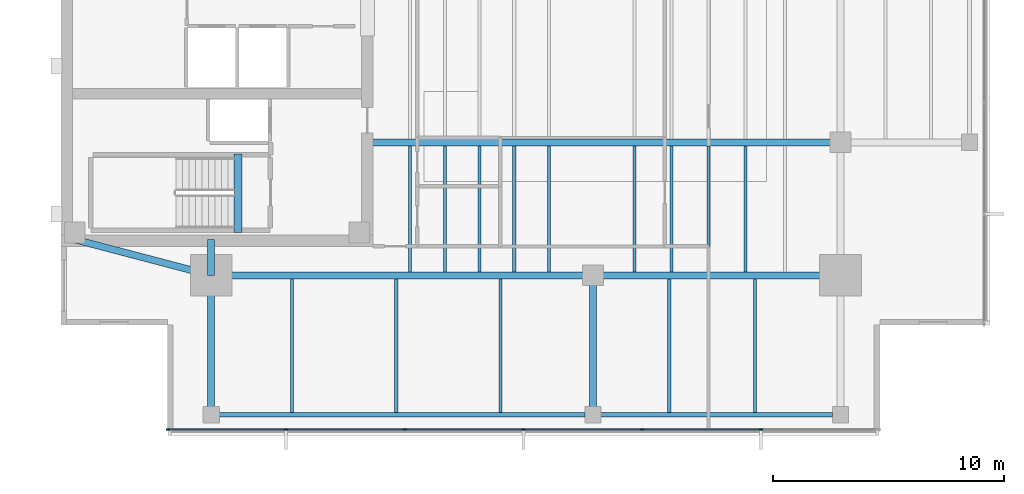
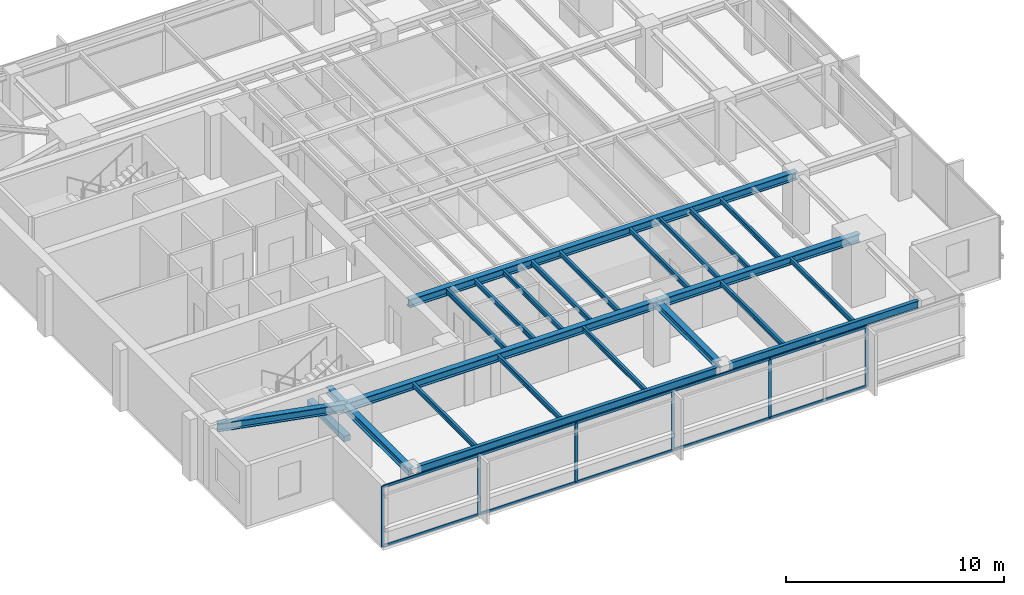
# One storey, part 2 of 14: 24 beams, 16 members, 1 element without a shape of its own.
"""IFC4 building model written with IfcOpenShell, lengths in metres."""

from ifc_helpers import new_model, si_unit, direction, frame, origin, origin_2d, place, context, subcontext, project, spatial, rectangle, i_section, extrude, material, layer, layer_set, material_profile, profile_set, type_object, element, aggregate, save


model = new_model("IFC4")

# Units and contexts
model_context = context("Model", 3, precision=1e-05, world=origin(), true_north=direction((0.0, 1.0)))
body_context = subcontext(model_context, "Body", "Model", "MODEL_VIEW")
ifc_project = project(units=[si_unit("LENGTHUNIT", "METRE"), si_unit("AREAUNIT", "SQUARE_METRE"), si_unit("VOLUMEUNIT", "CUBIC_METRE"), si_unit("PLANEANGLEUNIT", "RADIAN"), si_unit("MASSUNIT", "GRAM", prefix="KILO")], contexts=[model_context])

# Site, building, storey
site_placement = place(None, origin())
site = spatial("IfcSite", under=ifc_project, at=site_placement, CompositionType="ELEMENT")
building_placement = place(site_placement, origin())
building = spatial("IfcBuilding", under=site, at=building_placement, Name="Kinhvarn Gate Tower", CompositionType="ELEMENT")
storey_placement = place(building_placement, frame((0.0, 0.0, 263.449951171875)))
storey = spatial("IfcBuildingStorey", under=building, at=storey_placement, Name="L70", CompositionType="ELEMENT", Elevation=263.449951171875)

# Beam
ifc_material_1 = material(Name="Concrete C50/60", Category="concrete")
ifc_material_profile_1 = material_profile(ifc_material_1, rectangle(XDim=0.340087890625, YDim=0.320068359375, at=origin_2d()), Name="RC 340x320")
ifc_profile_set_1 = profile_set([ifc_material_profile_1], Name="Concrete C50/60")
beam_type_1 = type_object("IfcBeamType", Name="BM-LND-500", PredefinedType="BEAM", material=ifc_profile_set_1)
beam_1_placement = place(storey_placement, frame((12.1650390625, 14.60009765625, -0.159912109375), z_axis=(0.0, 1.0, 0.0), x_axis=(-1.0, 0.0, 0.0)))
element("IfcBeam", 1, at=beam_1_placement, inside=storey, type_object=beam_type_1, Name="Stair ST1 Landing Nosing Beam (L70)", PredefinedType="BEAM", context=body_context, shape_type="SweptSolid", body=[
    extrude(rectangle(XDim=0.340087890625, YDim=0.320068359375, at=origin_2d()), origin(), (0.0, 0.0, 1.0), 3.39990234375),
])

# Curtain wall, members
ifc_material_2 = material(Name="Anodised aluminium AW-6063", Category="aluminium")
ifc_layer = layer(ifc_material_2, 0.179931640625)
ifc_layer_set = layer_set([ifc_layer], Name="Anodised aluminium AW-6063")
curtain_wall_type = type_object("IfcCurtainWallType", Name="CW-SYS-3", PredefinedType="NOTDEFINED", material=ifc_layer_set)
curtain_wall_placement = place(storey_placement, origin())
curtain_wall = element("IfcCurtainWall", 2, at=curtain_wall_placement, inside=storey, type_object=curtain_wall_type, Name="Curtain Wall CW3 (L70)", PredefinedType="NOTDEFINED")
ifc_material_profile_2 = material_profile(ifc_material_2, rectangle(XDim=0.06494140625, YDim=0.159912109375, at=origin_2d()), Name="ALU 65x160")
ifc_profile_set_2 = profile_set([ifc_material_profile_2], Name="Anodised aluminium AW-6063")
member_type_1 = type_object("IfcMemberType", Name="CW-MUL-160", PredefinedType="MULLION", material=ifc_profile_set_2)
member_1_placement = place(storey_placement, frame((9.132568359375, 6.090087890625, 0.0), z_axis=(0.0, 0.0, 1.0), x_axis=(0.0, 1.0, 0.0)))
member_1 = element("IfcMember", 3, at=member_1_placement, type_object=member_type_1, Name="CW3 mullion 1", PredefinedType="MULLION", context=body_context, shape_type="SweptSolid", body=[
    extrude(rectangle(XDim=0.06494140625, YDim=0.159912109375, at=origin_2d()), origin(), (0.0, 0.0, 1.0), 3.39013671875),
])
member_2_placement = place(storey_placement, frame((14.2333984375, 6.090087890625, 0.0), z_axis=(0.0, 0.0, 1.0), x_axis=(0.0, 1.0, 0.0)))
member_2 = element("IfcMember", 4, at=member_2_placement, type_object=member_type_1, Name="CW3 mullion 2", PredefinedType="MULLION", context=body_context, shape_type="SweptSolid", body=[
    extrude(rectangle(XDim=0.06494140625, YDim=0.159912109375, at=origin_2d()), origin(), (0.0, 0.0, 1.0), 3.39013671875),
])
member_3_placement = place(storey_placement, frame((19.36669921875, 6.090087890625, 0.0), z_axis=(0.0, 0.0, 1.0), x_axis=(0.0, 1.0, 0.0)))
member_3 = element("IfcMember", 5, at=member_3_placement, type_object=member_type_1, Name="CW3 mullion 3", PredefinedType="MULLION", context=body_context, shape_type="SweptSolid", body=[
    extrude(rectangle(XDim=0.06494140625, YDim=0.159912109375, at=origin_2d()), origin(), (0.0, 0.0, 1.0), 3.39013671875),
])
member_4_placement = place(storey_placement, frame((24.5, 6.090087890625, 0.0), z_axis=(0.0, 0.0, 1.0), x_axis=(0.0, 1.0, 0.0)))
member_4 = element("IfcMember", 6, at=member_4_placement, type_object=member_type_1, Name="CW3 mullion 4", PredefinedType="MULLION", context=body_context, shape_type="SweptSolid", body=[
    extrude(rectangle(XDim=0.06494140625, YDim=0.159912109375, at=origin_2d()), origin(), (0.0, 0.0, 1.0), 3.39013671875),
])
member_5_placement = place(storey_placement, frame((29.63330078125, 6.090087890625, 0.0), z_axis=(0.0, 0.0, 1.0), x_axis=(0.0, 1.0, 0.0)))
member_5 = element("IfcMember", 7, at=member_5_placement, type_object=member_type_1, Name="CW3 mullion 5", PredefinedType="MULLION", context=body_context, shape_type="SweptSolid", body=[
    extrude(rectangle(XDim=0.06494140625, YDim=0.159912109375, at=origin_2d()), origin(), (0.0, 0.0, 1.0), 3.39013671875),
])
member_6_placement = place(storey_placement, frame((34.7666015625, 6.090087890625, 0.0), z_axis=(0.0, 0.0, 1.0), x_axis=(0.0, 1.0, 0.0)))
member_6 = element("IfcMember", 8, at=member_6_placement, type_object=member_type_1, Name="CW3 mullion 6", PredefinedType="MULLION", context=body_context, shape_type="SweptSolid", body=[
    extrude(rectangle(XDim=0.06494140625, YDim=0.159912109375, at=origin_2d()), origin(), (0.0, 0.0, 1.0), 3.39013671875),
])
ifc_material_profile_3 = material_profile(ifc_material_2, rectangle(XDim=0.070068359375, YDim=0.139892578125, at=origin_2d()), Name="ALU 70x140")
ifc_profile_set_3 = profile_set([ifc_material_profile_3], Name="Anodised aluminium AW-6063")
member_type_2 = type_object("IfcMemberType", Name="CW-TRN-140", PredefinedType="USERDEFINED", material=ifc_profile_set_3)
member_7_placement = place(storey_placement, frame((9.1650390625, 6.090087890625, 0.03515625), z_axis=(1.0, 0.0, 0.0), x_axis=(0.0, 1.0, 0.0)))
member_7 = element("IfcMember", 9, at=member_7_placement, type_object=member_type_2, Name="CW3 transom 1.1", ObjectType="TRANSOM", PredefinedType="USERDEFINED", context=body_context, shape_type="SweptSolid", body=[
    extrude(rectangle(XDim=0.070068359375, YDim=0.139892578125, at=origin_2d()), origin(), (0.0, 0.0, 1.0), 5.035888671875),
])
member_8_placement = place(storey_placement, frame((9.1650390625, 6.090087890625, 3.35498046875), z_axis=(1.0, 0.0, 0.0), x_axis=(0.0, 1.0, 0.0)))
member_8 = element("IfcMember", 10, at=member_8_placement, type_object=member_type_2, Name="CW3 transom 1.2", ObjectType="TRANSOM", PredefinedType="USERDEFINED", context=body_context, shape_type="SweptSolid", body=[
    extrude(rectangle(XDim=0.070068359375, YDim=0.139892578125, at=origin_2d()), origin(), (0.0, 0.0, 1.0), 5.035888671875),
])
member_9_placement = place(storey_placement, frame((14.265869140625, 6.090087890625, 0.03515625), z_axis=(1.0, 0.0, 0.0), x_axis=(0.0, 1.0, 0.0)))
member_9 = element("IfcMember", 11, at=member_9_placement, type_object=member_type_2, Name="CW3 transom 2.1", ObjectType="TRANSOM", PredefinedType="USERDEFINED", context=body_context, shape_type="SweptSolid", body=[
    extrude(rectangle(XDim=0.070068359375, YDim=0.139892578125, at=origin_2d()), origin(), (0.0, 0.0, 1.0), 5.068359375),
])
member_10_placement = place(storey_placement, frame((14.265869140625, 6.090087890625, 3.35498046875), z_axis=(1.0, 0.0, 0.0), x_axis=(0.0, 1.0, 0.0)))
member_10 = element("IfcMember", 12, at=member_10_placement, type_object=member_type_2, Name="CW3 transom 2.2", ObjectType="TRANSOM", PredefinedType="USERDEFINED", context=body_context, shape_type="SweptSolid", body=[
    extrude(rectangle(XDim=0.070068359375, YDim=0.139892578125, at=origin_2d()), origin(), (0.0, 0.0, 1.0), 5.068359375),
])
member_11_placement = place(storey_placement, frame((19.399169921875, 6.090087890625, 0.03515625), z_axis=(1.0, 0.0, 0.0), x_axis=(0.0, 1.0, 0.0)))
member_11 = element("IfcMember", 13, at=member_11_placement, type_object=member_type_2, Name="CW3 transom 3.1", ObjectType="TRANSOM", PredefinedType="USERDEFINED", context=body_context, shape_type="SweptSolid", body=[
    extrude(rectangle(XDim=0.070068359375, YDim=0.139892578125, at=origin_2d()), origin(), (0.0, 0.0, 1.0), 5.068359375),
])
member_12_placement = place(storey_placement, frame((19.399169921875, 6.090087890625, 3.35498046875), z_axis=(1.0, 0.0, 0.0), x_axis=(0.0, 1.0, 0.0)))
member_12 = element("IfcMember", 14, at=member_12_placement, type_object=member_type_2, Name="CW3 transom 3.2", ObjectType="TRANSOM", PredefinedType="USERDEFINED", context=body_context, shape_type="SweptSolid", body=[
    extrude(rectangle(XDim=0.070068359375, YDim=0.139892578125, at=origin_2d()), origin(), (0.0, 0.0, 1.0), 5.068359375),
])
member_13_placement = place(storey_placement, frame((24.532470703125, 6.090087890625, 0.03515625), z_axis=(1.0, 0.0, 0.0), x_axis=(0.0, 1.0, 0.0)))
member_13 = element("IfcMember", 15, at=member_13_placement, type_object=member_type_2, Name="CW3 transom 4.1", ObjectType="TRANSOM", PredefinedType="USERDEFINED", context=body_context, shape_type="SweptSolid", body=[
    extrude(rectangle(XDim=0.070068359375, YDim=0.139892578125, at=origin_2d()), origin(), (0.0, 0.0, 1.0), 5.068359375),
])
member_14_placement = place(storey_placement, frame((24.532470703125, 6.090087890625, 3.35498046875), z_axis=(1.0, 0.0, 0.0), x_axis=(0.0, 1.0, 0.0)))
member_14 = element("IfcMember", 16, at=member_14_placement, type_object=member_type_2, Name="CW3 transom 4.2", ObjectType="TRANSOM", PredefinedType="USERDEFINED", context=body_context, shape_type="SweptSolid", body=[
    extrude(rectangle(XDim=0.070068359375, YDim=0.139892578125, at=origin_2d()), origin(), (0.0, 0.0, 1.0), 5.068359375),
])
member_15_placement = place(storey_placement, frame((29.665771484375, 6.090087890625, 0.03515625), z_axis=(1.0, 0.0, 0.0), x_axis=(0.0, 1.0, 0.0)))
member_15 = element("IfcMember", 17, at=member_15_placement, type_object=member_type_2, Name="CW3 transom 5.1", ObjectType="TRANSOM", PredefinedType="USERDEFINED", context=body_context, shape_type="SweptSolid", body=[
    extrude(rectangle(XDim=0.070068359375, YDim=0.139892578125, at=origin_2d()), origin(), (0.0, 0.0, 1.0), 5.068359375),
])
member_16_placement = place(storey_placement, frame((29.665771484375, 6.090087890625, 3.35498046875), z_axis=(1.0, 0.0, 0.0), x_axis=(0.0, 1.0, 0.0)))
member_16 = element("IfcMember", 18, at=member_16_placement, type_object=member_type_2, Name="CW3 transom 5.2", ObjectType="TRANSOM", PredefinedType="USERDEFINED", context=body_context, shape_type="SweptSolid", body=[
    extrude(rectangle(XDim=0.070068359375, YDim=0.139892578125, at=origin_2d()), origin(), (0.0, 0.0, 1.0), 5.068359375),
])
aggregate(curtain_wall, [member_1, member_2, member_3, member_4, member_5, member_6, member_7, member_8, member_9, member_10, member_11, member_12, member_13, member_14, member_15, member_16])

# Beams
ifc_material_3 = material(Name="Steel S355", Category="steel")
ifc_material_profile_4 = material_profile(ifc_material_3, i_section(OverallWidth=0.300048828125, OverallDepth=0.39990234375, WebThickness=0.013427734375, FlangeThickness=0.02392578125, at=origin_2d()), Name="HEB 400")
ifc_profile_set_4 = profile_set([ifc_material_profile_4], Name="Steel S355")
beam_type_2 = type_object("IfcBeamType", Name="STL-HEB400", PredefinedType="BEAM", material=ifc_profile_set_4)
beam_2_placement = place(storey_placement, frame((11.0, 6.719970703125, 3.18994140625), z_axis=(0.0, 1.0, 0.0), x_axis=(-1.0, 0.0, 0.0)))
element("IfcBeam", 19, at=beam_2_placement, inside=storey, type_object=beam_type_2, Name="Floor Beam PG-12 (L70 MCW-S)", PredefinedType="BEAM", context=body_context, shape_type="SweptSolid", body=[
    extrude(i_section(OverallWidth=0.300048828125, OverallDepth=0.39990234375, WebThickness=0.013427734375, FlangeThickness=0.02392578125, at=origin_2d()), origin(), (0.0, 0.0, 1.0), 6.030029296875),
])
beam_3_placement = place(storey_placement, frame((11.0, 12.75, 3.18994140625), z_axis=(0.0, 1.0, 0.0), x_axis=(-1.0, 0.0, 0.0)))
element("IfcBeam", 20, at=beam_3_placement, inside=storey, type_object=beam_type_2, Name="Floor Beam PG-12 (L70 MCW-CS)", PredefinedType="BEAM", context=body_context, shape_type="SweptSolid", body=[
    extrude(i_section(OverallWidth=0.300048828125, OverallDepth=0.39990234375, WebThickness=0.013427734375, FlangeThickness=0.02392578125, at=origin_2d()), origin(), (0.0, 0.0, 1.0), 1.550048828125),
])
beam_4_placement = place(storey_placement, frame((27.5, 7.054931640625, 3.18994140625), z_axis=(0.0, 1.0, 0.0), x_axis=(-1.0, 0.0, 0.0)))
element("IfcBeam", 21, at=beam_4_placement, inside=storey, type_object=beam_type_2, Name="Floor Beam PG-12 (L70 SP27-S-TIE)", PredefinedType="BEAM", context=body_context, shape_type="SweptSolid", body=[
    extrude(i_section(OverallWidth=0.300048828125, OverallDepth=0.39990234375, WebThickness=0.013427734375, FlangeThickness=0.02392578125, at=origin_2d()), origin(), (0.0, 0.0, 1.0), 5.695068359375),
])
ifc_material_profile_5 = material_profile(ifc_material_3, i_section(OverallWidth=0.300048828125, OverallDepth=0.449951171875, WebThickness=0.013916015625, FlangeThickness=0.02587890625, at=origin_2d()), Name="HEB 450")
ifc_profile_set_5 = profile_set([ifc_material_profile_5], Name="Steel S355")
beam_type_3 = type_object("IfcBeamType", Name="STL-HEB450", PredefinedType="BEAM", material=ifc_profile_set_5)
beam_5_placement = place(storey_placement, frame((11.0, 12.75, 3.1650390625), z_axis=(1.0, 0.0, 0.0), x_axis=(0.0, 1.0, 0.0)))
element("IfcBeam", 22, at=beam_5_placement, inside=storey, type_object=beam_type_3, Name="Floor Beam PG-13 (L70 MG-S1)", PredefinedType="BEAM", context=body_context, shape_type="SweptSolid", body=[
    extrude(i_section(OverallWidth=0.300048828125, OverallDepth=0.449951171875, WebThickness=0.013916015625, FlangeThickness=0.02587890625, at=origin_2d()), origin(), (0.0, 0.0, 1.0), 16.5),
])
beam_6_placement = place(storey_placement, frame((27.5, 12.75, 3.1650390625), z_axis=(1.0, 0.0, 0.0), x_axis=(0.0, 1.0, 0.0)))
element("IfcBeam", 23, at=beam_6_placement, inside=storey, type_object=beam_type_3, Name="Floor Beam PG-13 (L70 MG-S2)", PredefinedType="BEAM", context=body_context, shape_type="SweptSolid", body=[
    extrude(i_section(OverallWidth=0.300048828125, OverallDepth=0.449951171875, WebThickness=0.013916015625, FlangeThickness=0.02587890625, at=origin_2d()), origin(), (0.0, 0.0, 1.0), 10.699951171875),
])
beam_7_placement = place(storey_placement, frame((5.10009765625, 14.300048828125, 3.1650390625), z_axis=(0.967177623957, -0.254101246979, 0.0), x_axis=(0.254101246979, 0.967177623957, 0.0)))
element("IfcBeam", 24, at=beam_7_placement, inside=storey, type_object=beam_type_3, Name="Floor Beam PG-13 (L70 MG-SW-DIAG)", PredefinedType="BEAM", context=body_context, shape_type="SweptSolid", body=[
    extrude(i_section(OverallWidth=0.300048828125, OverallDepth=0.449951171875, WebThickness=0.013916015625, FlangeThickness=0.02587890625, at=origin_2d()), origin(), (0.0, 0.0, 1.0), 6.10009765625),
])
beam_8_placement = place(storey_placement, frame((17.64990234375, 18.5, 3.1650390625), z_axis=(1.0, 0.0, 0.0), x_axis=(0.0, 1.0, 0.0)))
element("IfcBeam", 25, at=beam_8_placement, inside=storey, type_object=beam_type_3, Name="Floor Beam PG-13 (L70 EW1-Y18)", PredefinedType="BEAM", context=body_context, shape_type="SweptSolid", body=[
    extrude(i_section(OverallWidth=0.300048828125, OverallDepth=0.449951171875, WebThickness=0.013916015625, FlangeThickness=0.02587890625, at=origin_2d()), origin(), (0.0, 0.0, 1.0), 20.550048828125),
])
ifc_material_profile_6 = material_profile(ifc_material_3, i_section(OverallWidth=0.135009765625, OverallDepth=0.27001953125, WebThickness=0.006591796875, FlangeThickness=0.01025390625, at=origin_2d()), Name="IPE 270")
ifc_profile_set_6 = profile_set([ifc_material_profile_6], Name="Steel S355")
beam_type_4 = type_object("IfcBeamType", Name="STL-IPE270", PredefinedType="JOIST", material=ifc_profile_set_6)
for number, where, z_axis, x_axis, name in (
    (26, (19.60009765625, 12.89990234375, 3.255126953125), (0.0, 1.0, 0.0), (-1.0, 0.0, 0.0), "Floor Joist SB-01 (L70 JC-X196-0)"),
    (27, (21.10009765625, 12.89990234375, 3.255126953125), (0.0, 1.0, 0.0), (-1.0, 0.0, 0.0), "Floor Joist SB-01 (L70 JC-X211-0)"),
    (28, (22.60009765625, 12.89990234375, 3.255126953125), (0.0, 1.0, 0.0), (-1.0, 0.0, 0.0), "Floor Joist SB-01 (L70 JC-X226-0)"),
    (29, (24.10009765625, 12.89990234375, 3.255126953125), (0.0, 1.0, 0.0), (-1.0, 0.0, 0.0), "Floor Joist SB-01 (L70 JC-X241-0)"),
    (30, (25.60009765625, 12.89990234375, 3.255126953125), (0.0, 1.0, 0.0), (-1.0, 0.0, 0.0), "Floor Joist SB-01 (L70 JC-X256-0)"),
    (31, (29.300048828125, 12.89990234375, 3.255126953125), (0.0, 1.0, 0.0), (-1.0, 0.0, 0.0), "Floor Joist SB-01 (L70 JC-X293-0)"),
    (32, (30.89990234375, 12.89990234375, 3.255126953125), (0.0, 1.0, 0.0), (-1.0, 0.0, 0.0), "Floor Joist SB-01 (L70 JC-X309-0)"),
    (33, (32.5, 12.89990234375, 3.255126953125), (0.0, 1.0, 0.0), (-1.0, 0.0, 0.0), "Floor Joist SB-01 (L70 JC-X325-0)"),
    (34, (34.10009765625, 12.89990234375, 3.255126953125), (0.0, 1.0, 0.0), (-1.0, 0.0, 0.0), "Floor Joist SB-01 (L70 JC-X341-0)"),
):
    element("IfcBeam", number, at=place(storey_placement, frame(where, z_axis=z_axis, x_axis=x_axis)), inside=storey, type_object=beam_type_4, Name=name, PredefinedType="JOIST", context=body_context, shape_type="SweptSolid", body=[
        extrude(i_section(OverallWidth=0.135009765625, OverallDepth=0.27001953125, WebThickness=0.006591796875, FlangeThickness=0.01025390625, at=origin_2d()), origin(), (0.0, 0.0, 1.0), 5.4501953125),
    ])
for number, where, z_axis, x_axis, name in (
    (35, (14.5, 6.81494140625, 3.255126953125), (0.0, 1.0, 0.0), (-1.0, 0.0, 0.0), "Floor Joist SB-01 (L70 JS-X145)"),
    (36, (19.0, 6.81494140625, 3.255126953125), (0.0, 1.0, 0.0), (-1.0, 0.0, 0.0), "Floor Joist SB-01 (L70 JS-X190)"),
    (37, (23.5, 6.81494140625, 3.255126953125), (0.0, 1.0, 0.0), (-1.0, 0.0, 0.0), "Floor Joist SB-01 (L70 JS-X235)"),
    (38, (30.800048828125, 6.81494140625, 3.255126953125), (0.0, 1.0, 0.0), (-1.0, 0.0, 0.0), "Floor Joist SB-01 (L70 JS-X308)"),
    (39, (34.5, 6.81494140625, 3.255126953125), (0.0, 1.0, 0.0), (-1.0, 0.0, 0.0), "Floor Joist SB-01 (L70 JS-X345)"),
):
    element("IfcBeam", number, at=place(storey_placement, frame(where, z_axis=z_axis, x_axis=x_axis)), inside=storey, type_object=beam_type_4, Name=name, PredefinedType="JOIST", context=body_context, shape_type="SweptSolid", body=[
        extrude(i_section(OverallWidth=0.135009765625, OverallDepth=0.27001953125, WebThickness=0.006591796875, FlangeThickness=0.01025390625, at=origin_2d()), origin(), (0.0, 0.0, 1.0), 5.78515625),
    ])
ifc_material_profile_7 = material_profile(ifc_material_3, i_section(OverallWidth=0.18994140625, OverallDepth=0.449951171875, WebThickness=0.009521484375, FlangeThickness=0.0146484375, at=origin_2d()), Name="IPE 450")
ifc_profile_set_7 = profile_set([ifc_material_profile_7], Name="Steel S355")
beam_type_5 = type_object("IfcBeamType", Name="STL-IPE450", PredefinedType="JOIST", material=ifc_profile_set_7)
beam_9_placement = place(storey_placement, frame((11.3349609375, 6.719970703125, 3.1650390625), z_axis=(1.0, 0.0, 0.0), x_axis=(0.0, 1.0, 0.0)))
element("IfcBeam", 40, at=beam_9_placement, inside=storey, type_object=beam_type_5, Name="Floor Joist SB-06 (L70 SP-S1)", PredefinedType="JOIST", context=body_context, shape_type="SweptSolid", body=[
    extrude(i_section(OverallWidth=0.18994140625, OverallDepth=0.449951171875, WebThickness=0.009521484375, FlangeThickness=0.0146484375, at=origin_2d()), origin(), (0.0, 0.0, 1.0), 15.830078125),
])
beam_10_placement = place(storey_placement, frame((27.8349609375, 6.719970703125, 3.1650390625), z_axis=(1.0, 0.0, 0.0), x_axis=(0.0, 1.0, 0.0)))
element("IfcBeam", 41, at=beam_10_placement, inside=storey, type_object=beam_type_5, Name="Floor Joist SB-06 (L70 SP-S2)", PredefinedType="JOIST", context=body_context, shape_type="SweptSolid", body=[
    extrude(i_section(OverallWidth=0.18994140625, OverallDepth=0.449951171875, WebThickness=0.009521484375, FlangeThickness=0.0146484375, at=origin_2d()), origin(), (0.0, 0.0, 1.0), 10.030029296875),
])

save(model, "model.ifc")
